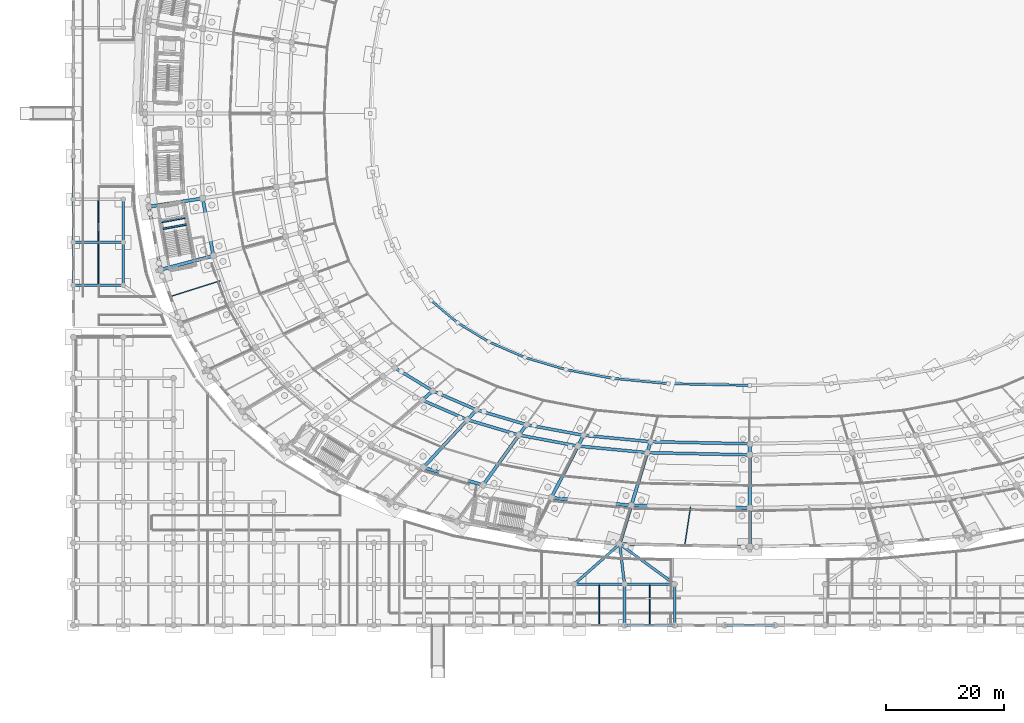
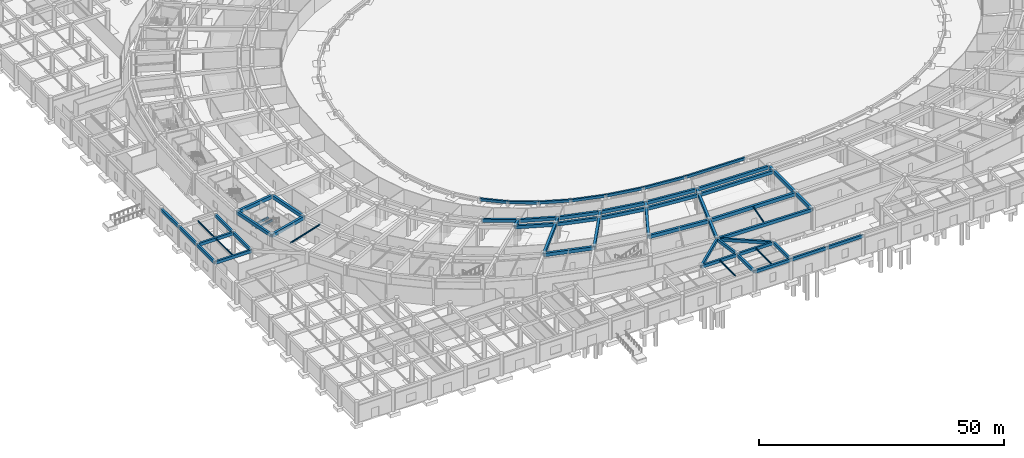
# One storey, part 27 of 88: 64 beams.
"""IFC4 building model written with IfcOpenShell, lengths in metres."""

from ifc_helpers import new_model, si_unit, direction, frame, origin, origin_2d, place, context, subcontext, project, spatial, rectangle, i_section, extrude, material, material_profile, profile_set, type_object, element, save


model = new_model("IFC4")

# Units and contexts
model_context = context("Model", 3, precision=1e-05, world=origin(), true_north=direction((0.0, 1.0)))
body_context = subcontext(model_context, "Body", "Model", "MODEL_VIEW")
ifc_project = project(units=[si_unit("LENGTHUNIT", "METRE"), si_unit("AREAUNIT", "SQUARE_METRE"), si_unit("VOLUMEUNIT", "CUBIC_METRE"), si_unit("PLANEANGLEUNIT", "RADIAN"), si_unit("MASSUNIT", "GRAM", prefix="KILO")], contexts=[model_context])

# Site, building, storey
site_placement = place(None, origin())
site = spatial("IfcSite", under=ifc_project, at=site_placement, CompositionType="ELEMENT")
building_placement = place(site_placement, origin())
building = spatial("IfcBuilding", under=site, at=building_placement, Name="Mphavela Belvedere Stadium", CompositionType="ELEMENT")
storey_placement = place(building_placement, origin())
storey = spatial("IfcBuildingStorey", under=building, at=storey_placement, Name="L00", CompositionType="ELEMENT", Elevation=0.0)

# Beams
ifc_material_1 = material(Name="Steel S355", Category="steel")
ifc_material_profile_1 = material_profile(ifc_material_1, i_section(OverallWidth=0.169921875, OverallDepth=0.360107421875, WebThickness=0.008056640625, FlangeThickness=0.0126953125, at=origin_2d()), Name="IPE 360")
ifc_profile_set_1 = profile_set([ifc_material_profile_1], Name="Steel S355")
beam_type_1 = type_object("IfcBeamType", Name="BM-JOIST-IPE360", PredefinedType="JOIST", material=ifc_profile_set_1)
beam_1_placement = place(storey_placement, frame((25.318359375, 58.6669921875, 4.969970703125), z_axis=(-0.953544002003, -0.301253773826, 0.0), x_axis=(0.301253773826, -0.953544002003, 0.0)))
element("IfcBeam", 1, at=beam_1_placement, inside=storey, type_object=beam_type_1, Name="Concourse floor joist L00-27", PredefinedType="JOIST", context=body_context, shape_type="SweptSolid", body=[
    extrude(i_section(OverallWidth=0.169921875, OverallDepth=0.360107421875, WebThickness=0.008056640625, FlangeThickness=0.0126953125, at=origin_2d()), origin(), (0.0, 0.0, 1.0), 9.259033203125),
])
for number, where, z_axis, x_axis, name in (
    (2, (89.444580078125, 0.22509765625, 4.9599609375), (0.0, 1.0, 0.0), (-1.0, 0.0, 0.0), "South Axial Triumphal Peristyle Portico secondary joist L00 11-1"),
    (3, (97.962890625, 0.22509765625, 4.9599609375), (0.0, 1.0, 0.0), (-1.0, 0.0, 0.0), "South Axial Triumphal Peristyle Portico secondary joist L00 12-1"),
):
    element("IfcBeam", number, at=place(storey_placement, frame(where, z_axis=z_axis, x_axis=x_axis)), inside=storey, type_object=beam_type_1, Name=name, PredefinedType="JOIST", context=body_context, shape_type="SweptSolid", body=[
        extrude(i_section(OverallWidth=0.169921875, OverallDepth=0.360107421875, WebThickness=0.008056640625, FlangeThickness=0.0126953125, at=origin_2d()), origin(), (0.0, 0.0, 1.0), 6.5498046875),
    ])
for number, where, z_axis, x_axis, name in (
    (4, (4.25, 58.02490234375, 4.9599609375), (0.0, 1.0, 0.0), (-1.0, 0.0, 0.0), "West Planted Eaves Peristyle Colonnade secondary joist L00 1-2"),
    (5, (4.25, 65.324951171875, 4.9599609375), (0.0, 1.0, 0.0), (-1.0, 0.0, 0.0), "West Planted Eaves Peristyle Colonnade secondary joist L00 1-3"),
):
    element("IfcBeam", number, at=place(storey_placement, frame(where, z_axis=z_axis, x_axis=x_axis)), inside=storey, type_object=beam_type_1, Name=name, PredefinedType="JOIST", context=body_context, shape_type="SweptSolid", body=[
        extrude(i_section(OverallWidth=0.169921875, OverallDepth=0.360107421875, WebThickness=0.008056640625, FlangeThickness=0.0126953125, at=origin_2d()), origin(), (0.0, 0.0, 1.0), 6.85009765625),
    ])
ifc_material_2 = material(Name="Steel S355", Category="steel")
ifc_material_profile_2 = material_profile(ifc_material_2, i_section(OverallWidth=0.179931640625, OverallDepth=0.39990234375, WebThickness=0.008544921875, FlangeThickness=0.013427734375, at=origin_2d()), Name="IPE 400")
ifc_profile_set_2 = profile_set([ifc_material_profile_2], Name="Steel S355")
beam_type_2 = type_object("IfcBeamType", Name="BM-JOIST-IPE400", PredefinedType="JOIST", material=ifc_profile_set_2)
beam_2_placement = place(storey_placement, frame((104.93359375, 20.1494140625, 4.949951171875), z_axis=(-0.14889470473, -0.988853056274, 0.0), x_axis=(0.988853056274, -0.14889470473, 0.0)))
element("IfcBeam", 6, at=beam_2_placement, inside=storey, type_object=beam_type_2, Name="Concourse floor joist L00-36", PredefinedType="JOIST", context=body_context, shape_type="SweptSolid", body=[
    extrude(i_section(OverallWidth=0.179931640625, OverallDepth=0.39990234375, WebThickness=0.008544921875, FlangeThickness=0.013427734375, at=origin_2d()), origin(), (0.0, 0.0, 1.0), 6.655517578125),
])
ifc_material_3 = material(Name="Concrete C40/50", Category="concrete")
ifc_material_profile_3 = material_profile(ifc_material_3, rectangle(XDim=0.300048828125, YDim=0.449951171875, at=origin_2d()), Name="RC 300x450")
ifc_profile_set_3 = profile_set([ifc_material_profile_3], Name="Concrete C40/50")
beam_type_3 = type_object("IfcBeamType", Name="BM-RC300x450", PredefinedType="BEAM", material=ifc_profile_set_3)
beam_3_placement = place(storey_placement, frame((19.440673828125, 68.16357421875, 2.27490234375), z_axis=(-0.9831891563, -0.182589931088, 0.0), x_axis=(0.182589931088, -0.9831891563, 0.0)))
element("IfcBeam", 7, at=beam_3_placement, inside=storey, type_object=beam_type_3, Name="Core C09 landing trimmer beam L00-1", PredefinedType="BEAM", context=body_context, shape_type="SweptSolid", body=[
    extrude(rectangle(XDim=0.300048828125, YDim=0.449951171875, at=origin_2d()), origin(), (0.0, 0.0, 1.0), 4.469970703125),
])
beam_4_placement = place(storey_placement, frame((19.2216796875, 69.343505859375, 2.27490234375), z_axis=(-0.983190977087, -0.182580126453, 0.0), x_axis=(0.182580126453, -0.983190977087, 0.0)))
element("IfcBeam", 8, at=beam_4_placement, inside=storey, type_object=beam_type_3, Name="Core C09 landing trimmer beam L00-2", PredefinedType="BEAM", context=body_context, shape_type="SweptSolid", body=[
    extrude(rectangle(XDim=0.300048828125, YDim=0.449951171875, at=origin_2d()), origin(), (0.0, 0.0, 1.0), 4.47021484375),
])
ifc_material_4 = material(Name="Concrete C40/50", Category="concrete")
ifc_material_profile_4 = material_profile(ifc_material_4, rectangle(XDim=0.39990234375, YDim=0.64990234375, at=origin_2d()), Name="RC 400x650")
ifc_profile_set_4 = profile_set([ifc_material_profile_4], Name="Concrete C40/50")
beam_type_4 = type_object("IfcBeamType", Name="BM-RC400x650", PredefinedType="BEAM", material=ifc_profile_set_4)
beam_5_placement = place(storey_placement, frame((60.8349609375, 55.22216796875, 0.824951171875), z_axis=(0.764252578724, -0.644917045762, 0.0), x_axis=(0.644917045762, 0.764252578724, 0.0)))
element("IfcBeam", 9, at=beam_5_placement, inside=storey, type_object=beam_type_4, Name="Lower tier plinth ring beam 30", PredefinedType="BEAM", context=body_context, shape_type="SweptSolid", body=[
    extrude(rectangle(XDim=0.39990234375, YDim=0.64990234375, at=origin_2d()), origin(), (0.0, 0.0, 1.0), 5.89599609375),
])
beam_6_placement = place(storey_placement, frame((65.341064453125, 51.419677734375, 0.824951171875), z_axis=(0.854317681937, -0.519751188868, 0.0), x_axis=(0.519751188868, 0.854317681937, 0.0)))
element("IfcBeam", 10, at=beam_6_placement, inside=storey, type_object=beam_type_4, Name="Lower tier plinth ring beam 31", PredefinedType="BEAM", context=body_context, shape_type="SweptSolid", body=[
    extrude(rectangle(XDim=0.39990234375, YDim=0.64990234375, at=origin_2d()), origin(), (0.0, 0.0, 1.0), 6.212158203125),
])
beam_7_placement = place(storey_placement, frame((70.648193359375, 48.19091796875, 0.824951171875), z_axis=(0.917505783131, -0.397722438293, 0.0), x_axis=(0.397722438293, 0.917505783131, 0.0)))
element("IfcBeam", 11, at=beam_7_placement, inside=storey, type_object=beam_type_4, Name="Lower tier plinth ring beam 32", PredefinedType="BEAM", context=body_context, shape_type="SweptSolid", body=[
    extrude(rectangle(XDim=0.39990234375, YDim=0.64990234375, at=origin_2d()), origin(), (0.0, 0.0, 1.0), 6.672607421875),
])
beam_8_placement = place(storey_placement, frame((76.770263671875, 45.537109375, 0.824951171875), z_axis=(0.958662145349, -0.284546817018, 0.0), x_axis=(0.284546817018, 0.958662145349, 0.0)))
element("IfcBeam", 12, at=beam_8_placement, inside=storey, type_object=beam_type_4, Name="Lower tier plinth ring beam 33", PredefinedType="BEAM", context=body_context, shape_type="SweptSolid", body=[
    extrude(rectangle(XDim=0.39990234375, YDim=0.64990234375, at=origin_2d()), origin(), (0.0, 0.0, 1.0), 7.287841796875),
])
beam_9_placement = place(storey_placement, frame((83.7568359375, 43.46337890625, 0.824951171875), z_axis=(0.983092319169, -0.183110600433, 0.0), x_axis=(0.183110600433, 0.983092319169, 0.0)))
element("IfcBeam", 13, at=beam_9_placement, inside=storey, type_object=beam_type_4, Name="Lower tier plinth ring beam 34", PredefinedType="BEAM", context=body_context, shape_type="SweptSolid", body=[
    extrude(rectangle(XDim=0.39990234375, YDim=0.64990234375, at=origin_2d()), origin(), (0.0, 0.0, 1.0), 8.12255859375),
])
beam_10_placement = place(storey_placement, frame((91.741943359375, 41.97607421875, 0.824951171875), z_axis=(0.995485107266, -0.094917865605, 0.0), x_axis=(0.094917865605, 0.995485107266, 0.0)))
element("IfcBeam", 14, at=beam_10_placement, inside=storey, type_object=beam_type_4, Name="Lower tier plinth ring beam 35", PredefinedType="BEAM", context=body_context, shape_type="SweptSolid", body=[
    extrude(rectangle(XDim=0.39990234375, YDim=0.64990234375, at=origin_2d()), origin(), (0.0, 0.0, 1.0), 9.4267578125),
])
beam_11_placement = place(storey_placement, frame((101.126220703125, 41.081298828125, 0.824951171875), z_axis=(0.99976811519, -0.021534062558, 0.0), x_axis=(0.021534062558, 0.99976811519, 0.0)))
element("IfcBeam", 15, at=beam_11_placement, inside=storey, type_object=beam_type_4, Name="Lower tier plinth ring beam 36", PredefinedType="BEAM", context=body_context, shape_type="SweptSolid", body=[
    extrude(rectangle(XDim=0.39990234375, YDim=0.64990234375, at=origin_2d()), origin(), (0.0, 0.0, 1.0), 13.876953125),
])
ifc_material_5 = material(Name="Concrete C40/50", Category="concrete")
ifc_material_profile_5 = material_profile(ifc_material_5, rectangle(XDim=0.449951171875, YDim=0.75, at=origin_2d()), Name="RC 450x750")
ifc_profile_set_5 = profile_set([ifc_material_profile_5], Name="Concrete C40/50")
beam_type_5 = type_object("IfcBeamType", Name="BM-RC450x750", PredefinedType="BEAM", material=ifc_profile_set_5)
beam_12_placement = place(storey_placement, frame((85.18505859375, 7.0, 4.764892578125), z_axis=(1.0, 0.0, 0.0), x_axis=(0.0, 1.0, 0.0)))
element("IfcBeam", 16, at=beam_12_placement, inside=storey, type_object=beam_type_5, Name="South Axial Triumphal Peristyle Portico entablature beam X L00 11-2", PredefinedType="BEAM", context=body_context, shape_type="SweptSolid", body=[
    extrude(rectangle(XDim=0.449951171875, YDim=0.75, at=origin_2d()), origin(), (0.0, 0.0, 1.0), 8.51904296875),
])
beam_13_placement = place(storey_placement, frame((93.7041015625, 0.0, 4.764892578125), z_axis=(1.0, 0.0, 0.0), x_axis=(0.0, 1.0, 0.0)))
element("IfcBeam", 17, at=beam_13_placement, inside=storey, type_object=beam_type_5, Name="South Axial Triumphal Peristyle Portico entablature beam X L00 12-1", PredefinedType="BEAM", context=body_context, shape_type="SweptSolid", body=[
    extrude(rectangle(XDim=0.449951171875, YDim=0.75, at=origin_2d()), origin(), (0.0, 0.0, 1.0), 8.517822265625),
])
beam_14_placement = place(storey_placement, frame((93.7041015625, 0.0, 4.764892578125), z_axis=(0.0, 1.0, 0.0), x_axis=(-1.0, 0.0, 0.0)))
element("IfcBeam", 18, at=beam_14_placement, inside=storey, type_object=beam_type_5, Name="South Axial Triumphal Peristyle Portico entablature beam Y L00 12-1", PredefinedType="BEAM", context=body_context, shape_type="SweptSolid", body=[
    extrude(rectangle(XDim=0.449951171875, YDim=0.75, at=origin_2d()), origin(), (0.0, 0.0, 1.0), 7.0),
])
beam_15_placement = place(storey_placement, frame((93.7041015625, 7.0, 4.764892578125), z_axis=(1.0, 0.0, 0.0), x_axis=(0.0, 1.0, 0.0)))
element("IfcBeam", 19, at=beam_15_placement, inside=storey, type_object=beam_type_5, Name="South Axial Triumphal Peristyle Portico entablature beam X L00 12-2", PredefinedType="BEAM", context=body_context, shape_type="SweptSolid", body=[
    extrude(rectangle(XDim=0.449951171875, YDim=0.75, at=origin_2d()), origin(), (0.0, 0.0, 1.0), 8.517822265625),
])
beam_16_placement = place(storey_placement, frame((102.221923828125, 0.0, 4.764892578125), z_axis=(1.0, 0.0, 0.0), x_axis=(0.0, 1.0, 0.0)))
element("IfcBeam", 20, at=beam_16_placement, inside=storey, type_object=beam_type_5, Name="South Axial Triumphal Peristyle Portico entablature beam X L00 13-1", PredefinedType="BEAM", context=body_context, shape_type="SweptSolid", body=[
    extrude(rectangle(XDim=0.449951171875, YDim=0.75, at=origin_2d()), origin(), (0.0, 0.0, 1.0), 8.51904296875),
])
beam_17_placement = place(storey_placement, frame((102.221923828125, 0.0, 4.764892578125), z_axis=(0.0, 1.0, 0.0), x_axis=(-1.0, 0.0, 0.0)))
element("IfcBeam", 21, at=beam_17_placement, inside=storey, type_object=beam_type_5, Name="South Axial Triumphal Peristyle Portico entablature beam Y L00 13-1", PredefinedType="BEAM", context=body_context, shape_type="SweptSolid", body=[
    extrude(rectangle(XDim=0.449951171875, YDim=0.75, at=origin_2d()), origin(), (0.0, 0.0, 1.0), 7.0),
])
beam_18_placement = place(storey_placement, frame((110.740966796875, 0.0, 4.764892578125), z_axis=(1.0, 0.0, 0.0), x_axis=(0.0, 1.0, 0.0)))
element("IfcBeam", 22, at=beam_18_placement, inside=storey, type_object=beam_type_5, Name="South Axial Triumphal Peristyle Portico entablature beam X L00 14-1", PredefinedType="BEAM", context=body_context, shape_type="SweptSolid", body=[
    extrude(rectangle(XDim=0.449951171875, YDim=0.75, at=origin_2d()), origin(), (0.0, 0.0, 1.0), 8.51806640625),
])
beam_19_placement = place(storey_placement, frame((102.221923828125, 7.0, 4.764892578125), z_axis=(-0.808075844415, 0.589078457994, 0.0), x_axis=(-0.589078457994, -0.808075844415, 0.0)))
element("IfcBeam", 23, at=beam_19_placement, inside=storey, type_object=beam_type_5, Name="South Axial Triumphal Peristyle Portico bowl link girder L00-1", PredefinedType="BEAM", context=body_context, shape_type="SweptSolid", body=[
    extrude(rectangle(XDim=0.449951171875, YDim=0.75, at=origin_2d()), origin(), (0.0, 0.0, 1.0), 11.553955078125),
])
beam_20_placement = place(storey_placement, frame((93.7041015625, 7.0, 4.764892578125), z_axis=(-0.119413444072, 0.99284461492, 0.0), x_axis=(-0.99284461492, -0.119413444072, 0.0)))
element("IfcBeam", 24, at=beam_20_placement, inside=storey, type_object=beam_type_5, Name="South Axial Triumphal Peristyle Portico bowl link girder L00-3", PredefinedType="BEAM", context=body_context, shape_type="SweptSolid", body=[
    extrude(rectangle(XDim=0.449951171875, YDim=0.75, at=origin_2d()), origin(), (0.0, 0.0, 1.0), 6.855224609375),
])
beam_21_placement = place(storey_placement, frame((85.18505859375, 7.0, 4.764892578125), z_axis=(0.749275353375, 0.662258593621, 0.0), x_axis=(-0.662258593621, 0.749275353375, 0.0)))
element("IfcBeam", 25, at=beam_21_placement, inside=storey, type_object=beam_type_5, Name="South Axial Triumphal Peristyle Portico bowl link girder L00-5", PredefinedType="BEAM", context=body_context, shape_type="SweptSolid", body=[
    extrude(rectangle(XDim=0.449951171875, YDim=0.75, at=origin_2d()), origin(), (0.0, 0.0, 1.0), 10.277099609375),
])
beam_22_placement = place(storey_placement, frame((0.0, 57.800048828125, 4.764892578125), z_axis=(1.0, 0.0, 0.0), x_axis=(0.0, 1.0, 0.0)))
element("IfcBeam", 26, at=beam_22_placement, inside=storey, type_object=beam_type_5, Name="West Planted Eaves Peristyle Colonnade entablature beam X L00 1-2", PredefinedType="BEAM", context=body_context, shape_type="SweptSolid", body=[
    extrude(rectangle(XDim=0.449951171875, YDim=0.75, at=origin_2d()), origin(), (0.0, 0.0, 1.0), 8.5),
])
beam_23_placement = place(storey_placement, frame((0.0, 57.800048828125, 4.764892578125), z_axis=(0.0, 1.0, 0.0), x_axis=(-1.0, 0.0, 0.0)))
element("IfcBeam", 27, at=beam_23_placement, inside=storey, type_object=beam_type_5, Name="West Planted Eaves Peristyle Colonnade entablature beam Y L00 1-2", PredefinedType="BEAM", context=body_context, shape_type="SweptSolid", body=[
    extrude(rectangle(XDim=0.449951171875, YDim=0.75, at=origin_2d()), origin(), (0.0, 0.0, 1.0), 7.300048828125),
])
beam_24_placement = place(storey_placement, frame((0.0, 65.10009765625, 4.764892578125), z_axis=(1.0, 0.0, 0.0), x_axis=(0.0, 1.0, 0.0)))
element("IfcBeam", 28, at=beam_24_placement, inside=storey, type_object=beam_type_5, Name="West Planted Eaves Peristyle Colonnade entablature beam X L00 1-3", PredefinedType="BEAM", context=body_context, shape_type="SweptSolid", body=[
    extrude(rectangle(XDim=0.449951171875, YDim=0.75, at=origin_2d()), origin(), (0.0, 0.0, 1.0), 8.5),
])
beam_25_placement = place(storey_placement, frame((0.0, 65.10009765625, 4.764892578125), z_axis=(0.0, 1.0, 0.0), x_axis=(-1.0, 0.0, 0.0)))
element("IfcBeam", 29, at=beam_25_placement, inside=storey, type_object=beam_type_5, Name="West Planted Eaves Peristyle Colonnade entablature beam Y L00 1-3", PredefinedType="BEAM", context=body_context, shape_type="SweptSolid", body=[
    extrude(rectangle(XDim=0.449951171875, YDim=0.75, at=origin_2d()), origin(), (0.0, 0.0, 1.0), 7.2998046875),
])
for number, where, z_axis, x_axis, name in (
    (30, (0.0, 72.39990234375, 4.764892578125), (0.0, 1.0, 0.0), (-1.0, 0.0, 0.0), "West Planted Eaves Peristyle Colonnade entablature beam Y L00 1-4"),
    (31, (8.5, 57.800048828125, 4.764892578125), (0.0, 1.0, 0.0), (-1.0, 0.0, 0.0), "West Planted Eaves Peristyle Colonnade entablature beam Y L00 2-2"),
):
    element("IfcBeam", number, at=place(storey_placement, frame(where, z_axis=z_axis, x_axis=x_axis)), inside=storey, type_object=beam_type_5, Name=name, PredefinedType="BEAM", context=body_context, shape_type="SweptSolid", body=[
        extrude(rectangle(XDim=0.449951171875, YDim=0.75, at=origin_2d()), origin(), (0.0, 0.0, 1.0), 7.300048828125),
    ])
beam_26_placement = place(storey_placement, frame((8.5, 65.10009765625, 4.764892578125), z_axis=(0.0, 1.0, 0.0), x_axis=(-1.0, 0.0, 0.0)))
element("IfcBeam", 32, at=beam_26_placement, inside=storey, type_object=beam_type_5, Name="West Planted Eaves Peristyle Colonnade entablature beam Y L00 2-3", PredefinedType="BEAM", context=body_context, shape_type="SweptSolid", body=[
    extrude(rectangle(XDim=0.449951171875, YDim=0.75, at=origin_2d()), origin(), (0.0, 0.0, 1.0), 7.2998046875),
])
ifc_material_6 = material(Name="Concrete C40/50", Category="concrete")
ifc_material_profile_6 = material_profile(ifc_material_6, rectangle(XDim=0.5, YDim=0.800048828125, at=origin_2d()), Name="RC 500x800")
ifc_profile_set_6 = profile_set([ifc_material_profile_6], Name="Concrete C40/50")
beam_type_6 = type_object("IfcBeamType", Name="BM-RC500x800", PredefinedType="BEAM", material=ifc_profile_set_6)
beam_27_placement = place(storey_placement, frame((54.66259765625, 43.7685546875, 4.75), z_axis=(0.854325951403, -0.51973759606, 0.0), x_axis=(0.51973759606, 0.854325951403, 0.0)))
element("IfcBeam", 33, at=beam_27_placement, inside=storey, type_object=beam_type_6, Name="Circumferential girder L00 R1-31", PredefinedType="BEAM", context=body_context, shape_type="SweptSolid", body=[
    extrude(rectangle(XDim=0.5, YDim=0.800048828125, at=origin_2d()), origin(), (0.0, 0.0, 1.0), 7.5478515625),
])
beam_28_placement = place(storey_placement, frame((61.11083984375, 39.845703125, 4.75), z_axis=(0.917503251148, -0.397728279273, 0.0), x_axis=(0.397728279273, 0.917503251148, 0.0)))
element("IfcBeam", 34, at=beam_28_placement, inside=storey, type_object=beam_type_6, Name="Circumferential girder L00 R1-32", PredefinedType="BEAM", context=body_context, shape_type="SweptSolid", body=[
    extrude(rectangle(XDim=0.5, YDim=0.800048828125, at=origin_2d()), origin(), (0.0, 0.0, 1.0), 8.107666015625),
])
beam_29_placement = place(storey_placement, frame((59.31005859375, 38.27001953125, 4.75), z_axis=(0.917495728928, -0.397745631526, 0.0), x_axis=(0.397745631526, 0.917495728928, 0.0)))
element("IfcBeam", 35, at=beam_29_placement, inside=storey, type_object=beam_type_6, Name="Circumferential girder L00 R2-32", PredefinedType="BEAM", context=body_context, shape_type="SweptSolid", body=[
    extrude(rectangle(XDim=0.5, YDim=0.800048828125, at=origin_2d()), origin(), (0.0, 0.0, 1.0), 8.37841796875),
])
beam_30_placement = place(storey_placement, frame((68.549560546875, 36.62109375, 4.75), z_axis=(0.958656973737, -0.284564240033, 0.0), x_axis=(0.284564240033, 0.958656973737, 0.0)))
element("IfcBeam", 36, at=beam_30_placement, inside=storey, type_object=beam_type_6, Name="Circumferential girder L00 R1-33", PredefinedType="BEAM", context=body_context, shape_type="SweptSolid", body=[
    extrude(rectangle(XDim=0.5, YDim=0.800048828125, at=origin_2d()), origin(), (0.0, 0.0, 1.0), 8.854736328125),
])
beam_31_placement = place(storey_placement, frame((66.997314453125, 34.9375, 4.75), z_axis=(0.958656419443, -0.284566107363, 0.0), x_axis=(0.284566107363, 0.958656419443, 0.0)))
element("IfcBeam", 37, at=beam_31_placement, inside=storey, type_object=beam_type_6, Name="Circumferential girder L00 R2-33", PredefinedType="BEAM", context=body_context, shape_type="SweptSolid", body=[
    extrude(rectangle(XDim=0.5, YDim=0.800048828125, at=origin_2d()), origin(), (0.0, 0.0, 1.0), 9.15087890625),
])
beam_32_placement = place(storey_placement, frame((77.038330078125, 34.101318359375, 4.75), z_axis=(0.983092994202, -0.183106976248, 0.0), x_axis=(0.183106976248, 0.983092994202, 0.0)))
element("IfcBeam", 38, at=beam_32_placement, inside=storey, type_object=beam_type_6, Name="Circumferential girder L00 R1-34", PredefinedType="BEAM", context=body_context, shape_type="SweptSolid", body=[
    extrude(rectangle(XDim=0.5, YDim=0.800048828125, at=origin_2d()), origin(), (0.0, 0.0, 1.0), 9.869140625),
])
beam_33_placement = place(storey_placement, frame((75.769775390625, 32.33349609375, 4.75), z_axis=(0.983098802226, -0.183075790485, 0.0), x_axis=(0.183075790485, 0.983098802226, 0.0)))
element("IfcBeam", 39, at=beam_33_placement, inside=storey, type_object=beam_type_6, Name="Circumferential girder L00 R2-34", PredefinedType="BEAM", context=body_context, shape_type="SweptSolid", body=[
    extrude(rectangle(XDim=0.5, YDim=0.800048828125, at=origin_2d()), origin(), (0.0, 0.0, 1.0), 10.198974609375),
])
beam_34_placement = place(storey_placement, frame((86.74072265625, 32.294189453125, 4.75), z_axis=(0.995485216305, -0.094916722014, 0.0), x_axis=(0.094916722014, 0.995485216305, 0.0)))
element("IfcBeam", 40, at=beam_34_placement, inside=storey, type_object=beam_type_6, Name="Circumferential girder L00 R1-35", PredefinedType="BEAM", context=body_context, shape_type="SweptSolid", body=[
    extrude(rectangle(XDim=0.5, YDim=0.800048828125, at=origin_2d()), origin(), (0.0, 0.0, 1.0), 11.453857421875),
])
beam_35_placement = place(storey_placement, frame((85.79638671875, 30.46630859375, 4.75), z_axis=(0.9954829494, -0.094940494283, 0.0), x_axis=(0.094940494283, 0.9954829494, 0.0)))
element("IfcBeam", 41, at=beam_35_placement, inside=storey, type_object=beam_type_6, Name="Circumferential girder L00 R2-35", PredefinedType="BEAM", context=body_context, shape_type="SweptSolid", body=[
    extrude(rectangle(XDim=0.5, YDim=0.800048828125, at=origin_2d()), origin(), (0.0, 0.0, 1.0), 11.836669921875),
])
beam_36_placement = place(storey_placement, frame((98.142822265625, 31.20703125, 4.75), z_axis=(0.9997681798, -0.021531062658, 0.0), x_axis=(0.021531062658, 0.9997681798, 0.0)))
element("IfcBeam", 42, at=beam_36_placement, inside=storey, type_object=beam_type_6, Name="Circumferential girder L00 R1-36", PredefinedType="BEAM", context=body_context, shape_type="SweptSolid", body=[
    extrude(rectangle(XDim=0.5, YDim=0.800048828125, at=origin_2d()), origin(), (0.0, 0.0, 1.0), 16.861083984375),
])
beam_37_placement = place(storey_placement, frame((97.57958984375, 29.342529296875, 4.75), z_axis=(0.999768385959, -0.021521487805, 0.0), x_axis=(0.021521487805, 0.999768385959, 0.0)))
element("IfcBeam", 43, at=beam_37_placement, inside=storey, type_object=beam_type_6, Name="Circumferential girder L00 R2-36", PredefinedType="BEAM", context=body_context, shape_type="SweptSolid", body=[
    extrude(rectangle(XDim=0.5, YDim=0.800048828125, at=origin_2d()), origin(), (0.0, 0.0, 1.0), 17.424560546875),
])
ifc_material_7 = material(Name="Concrete C40/50", Category="concrete")
ifc_material_profile_7 = material_profile(ifc_material_7, rectangle(XDim=0.550048828125, YDim=0.85009765625, at=origin_2d()), Name="RC 550x850")
ifc_profile_set_7 = profile_set([ifc_material_profile_7], Name="Concrete C40/50")
beam_type_7 = type_object("IfcBeamType", Name="BM-RC550x850", PredefinedType="BEAM", material=ifc_profile_set_7)
beam_38_placement = place(storey_placement, frame((22.0, 72.5751953125, 4.72509765625), z_axis=(0.182638056683, -0.983180217585, 0.0), x_axis=(0.983180217585, 0.182638056683, 0.0)))
element("IfcBeam", 44, at=beam_38_placement, inside=storey, type_object=beam_type_7, Name="Circumferential girder L00 R3-26", PredefinedType="BEAM", context=body_context, shape_type="SweptSolid", body=[
    extrude(rectangle(XDim=0.550048828125, YDim=0.85009765625, at=origin_2d()), origin(), (0.0, 0.0, 1.0), 9.924072265625),
])
beam_39_placement = place(storey_placement, frame((22.0, 72.5751953125, 4.72509765625), z_axis=(-0.988182369303, -0.153282761586, 0.0), x_axis=(0.153282761586, -0.988182369303, 0.0)))
element("IfcBeam", 45, at=beam_39_placement, inside=storey, type_object=beam_type_7, Name="Radial concourse girder L00 R3R4-26", PredefinedType="BEAM", context=body_context, shape_type="SweptSolid", body=[
    extrude(rectangle(XDim=0.550048828125, YDim=0.85009765625, at=origin_2d()), origin(), (0.0, 0.0, 1.0), 9.264892578125),
])
beam_40_placement = place(storey_placement, frame((23.8125, 62.818115234375, 4.72509765625), z_axis=(-0.966589609073, -0.256328944196, 0.0), x_axis=(0.256328944196, -0.966589609073, 0.0)))
element("IfcBeam", 46, at=beam_40_placement, inside=storey, type_object=beam_type_7, Name="Radial concourse girder L00 R3R4-27", PredefinedType="BEAM", context=body_context, shape_type="SweptSolid", body=[
    extrude(rectangle(XDim=0.550048828125, YDim=0.85009765625, at=origin_2d()), origin(), (0.0, 0.0, 1.0), 9.287353515625),
])
beam_41_placement = place(storey_placement, frame((61.11083984375, 39.845703125, 4.72509765625), z_axis=(-0.752576694707, -0.658504607869, 0.0), x_axis=(0.658504607869, -0.752576694707, 0.0)))
element("IfcBeam", 47, at=beam_41_placement, inside=storey, type_object=beam_type_7, Name="Radial concourse girder L00 R1R2-32", PredefinedType="BEAM", context=body_context, shape_type="SweptSolid", body=[
    extrude(rectangle(XDim=0.550048828125, YDim=0.85009765625, at=origin_2d()), origin(), (0.0, 0.0, 1.0), 2.392822265625),
])
beam_42_placement = place(storey_placement, frame((59.523681640625, 26.83203125, 4.72509765625), z_axis=(0.958655230784, -0.284570111731, 0.0), x_axis=(0.284570111731, 0.958655230784, 0.0)))
element("IfcBeam", 48, at=beam_42_placement, inside=storey, type_object=beam_type_7, Name="Circumferential girder L00 R3-33", PredefinedType="BEAM", context=body_context, shape_type="SweptSolid", body=[
    extrude(rectangle(XDim=0.550048828125, YDim=0.85009765625, at=origin_2d()), origin(), (0.0, 0.0, 1.0), 10.57568359375),
])
beam_43_placement = place(storey_placement, frame((68.549560546875, 36.62109375, 4.72509765625), z_axis=(-0.677846038514, -0.735203881975, 0.0), x_axis=(0.735203881975, -0.677846038514, 0.0)))
element("IfcBeam", 49, at=beam_43_placement, inside=storey, type_object=beam_type_7, Name="Radial concourse girder L00 R1R2-33", PredefinedType="BEAM", context=body_context, shape_type="SweptSolid", body=[
    extrude(rectangle(XDim=0.550048828125, YDim=0.85009765625, at=origin_2d()), origin(), (0.0, 0.0, 1.0), 2.2900390625),
])
beam_44_placement = place(storey_placement, frame((66.997314453125, 34.9375, 4.72509765625), z_axis=(-0.677871643116, -0.735180274123, 0.0), x_axis=(0.735180274123, -0.677871643116, 0.0)))
element("IfcBeam", 50, at=beam_44_placement, inside=storey, type_object=beam_type_7, Name="Radial concourse girder L00 R2R3-33", PredefinedType="BEAM", context=body_context, shape_type="SweptSolid", body=[
    extrude(rectangle(XDim=0.550048828125, YDim=0.85009765625, at=origin_2d()), origin(), (0.0, 0.0, 1.0), 11.025146484375),
])
beam_45_placement = place(storey_placement, frame((77.038330078125, 34.101318359375, 4.72509765625), z_axis=(-0.583009326667, -0.812465460816, 0.0), x_axis=(0.812465460816, -0.583009326667, 0.0)))
element("IfcBeam", 51, at=beam_45_placement, inside=storey, type_object=beam_type_7, Name="Radial concourse girder L00 R1R2-34", PredefinedType="BEAM", context=body_context, shape_type="SweptSolid", body=[
    extrude(rectangle(XDim=0.550048828125, YDim=0.85009765625, at=origin_2d()), origin(), (0.0, 0.0, 1.0), 2.17578125),
])
beam_46_placement = place(storey_placement, frame((75.769775390625, 32.33349609375, 4.72509765625), z_axis=(-0.583031296474, -0.812449695262, 0.0), x_axis=(0.812449695262, -0.583031296474, 0.0)))
element("IfcBeam", 52, at=beam_46_placement, inside=storey, type_object=beam_type_7, Name="Radial concourse girder L00 R2R3-34", PredefinedType="BEAM", context=body_context, shape_type="SweptSolid", body=[
    extrude(rectangle(XDim=0.550048828125, YDim=0.85009765625, at=origin_2d()), origin(), (0.0, 0.0, 1.0), 10.475830078125),
])
beam_47_placement = place(storey_placement, frame((81.249755859375, 21.66455078125, 4.72509765625), z_axis=(0.995483834103, -0.094931217412, 0.0), x_axis=(0.094931217412, 0.995483834103, 0.0)))
element("IfcBeam", 53, at=beam_47_placement, inside=storey, type_object=beam_type_7, Name="Circumferential girder L00 R3-35", PredefinedType="BEAM", context=body_context, shape_type="SweptSolid", body=[
    extrude(rectangle(XDim=0.550048828125, YDim=0.85009765625, at=origin_2d()), origin(), (0.0, 0.0, 1.0), 13.67919921875),
])
beam_48_placement = place(storey_placement, frame((86.74072265625, 32.294189453125, 4.72509765625), z_axis=(-0.458993514161, -0.888439617508, 0.0), x_axis=(0.888439617508, -0.458993514161, 0.0)))
element("IfcBeam", 54, at=beam_48_placement, inside=storey, type_object=beam_type_7, Name="Radial concourse girder L00 R1R2-35", PredefinedType="BEAM", context=body_context, shape_type="SweptSolid", body=[
    extrude(rectangle(XDim=0.550048828125, YDim=0.85009765625, at=origin_2d()), origin(), (0.0, 0.0, 1.0), 2.057373046875),
])
beam_49_placement = place(storey_placement, frame((85.79638671875, 30.46630859375, 4.72509765625), z_axis=(-0.458944837734, -0.888464763464, 0.0), x_axis=(0.888464763464, -0.458944837734, 0.0)))
element("IfcBeam", 55, at=beam_49_placement, inside=storey, type_object=beam_type_7, Name="Radial concourse girder L00 R2R3-35", PredefinedType="BEAM", context=body_context, shape_type="SweptSolid", body=[
    extrude(rectangle(XDim=0.550048828125, YDim=0.85009765625, at=origin_2d()), origin(), (0.0, 0.0, 1.0), 9.90673828125),
])
beam_50_placement = place(storey_placement, frame((94.8671875, 20.365966796875, 4.72509765625), z_axis=(0.999768427465, -0.02151955955, 0.0), x_axis=(0.02151955955, 0.999768427465, 0.0)))
element("IfcBeam", 56, at=beam_50_placement, inside=storey, type_object=beam_type_7, Name="Circumferential girder L00 R3-36", PredefinedType="BEAM", context=body_context, shape_type="SweptSolid", body=[
    extrude(rectangle(XDim=0.550048828125, YDim=0.85009765625, at=origin_2d()), origin(), (0.0, 0.0, 1.0), 20.137451171875),
])
beam_51_placement = place(storey_placement, frame((98.142822265625, 31.20703125, 4.72509765625), z_axis=(-0.289175820075, -0.957276002563, 0.0), x_axis=(0.957276002563, -0.289175820075, 0.0)))
element("IfcBeam", 57, at=beam_51_placement, inside=storey, type_object=beam_type_7, Name="Radial concourse girder L00 R1R2-36", PredefinedType="BEAM", context=body_context, shape_type="SweptSolid", body=[
    extrude(rectangle(XDim=0.550048828125, YDim=0.85009765625, at=origin_2d()), origin(), (0.0, 0.0, 1.0), 1.94775390625),
])
beam_52_placement = place(storey_placement, frame((97.57958984375, 29.342529296875, 4.72509765625), z_axis=(-0.289248589313, -0.95725401727, 0.0), x_axis=(0.95725401727, -0.289248589313, 0.0)))
element("IfcBeam", 58, at=beam_52_placement, inside=storey, type_object=beam_type_7, Name="Radial concourse girder L00 R2R3-36", PredefinedType="BEAM", context=body_context, shape_type="SweptSolid", body=[
    extrude(rectangle(XDim=0.550048828125, YDim=0.85009765625, at=origin_2d()), origin(), (0.0, 0.0, 1.0), 9.37744140625),
])
beam_53_placement = place(storey_placement, frame((94.8671875, 20.365966796875, 4.72509765625), z_axis=(-0.28918755919, -0.95727245631, 0.0), x_axis=(0.95727245631, -0.28918755919, 0.0)))
element("IfcBeam", 59, at=beam_53_placement, inside=storey, type_object=beam_type_7, Name="Radial concourse girder L00 R3R4-36", PredefinedType="BEAM", context=body_context, shape_type="SweptSolid", body=[
    extrude(rectangle(XDim=0.550048828125, YDim=0.85009765625, at=origin_2d()), origin(), (0.0, 0.0, 1.0), 6.8525390625),
])
beam_54_placement = place(storey_placement, frame((115.0, 30.843994140625, 4.72509765625), z_axis=(0.0, -1.0, 0.0), x_axis=(1.0, 0.0, 0.0)))
element("IfcBeam", 60, at=beam_54_placement, inside=storey, type_object=beam_type_7, Name="Radial concourse girder L00 R1R2-37", PredefinedType="BEAM", context=body_context, shape_type="SweptSolid", body=[
    extrude(rectangle(XDim=0.550048828125, YDim=0.85009765625, at=origin_2d()), origin(), (0.0, 0.0, 1.0), 1.87646484375),
])
beam_55_placement = place(storey_placement, frame((115.0, 28.967529296875, 4.72509765625), z_axis=(0.0, -1.0, 0.0), x_axis=(1.0, 0.0, 0.0)))
element("IfcBeam", 61, at=beam_55_placement, inside=storey, type_object=beam_type_7, Name="Radial concourse girder L00 R2R3-37", PredefinedType="BEAM", context=body_context, shape_type="SweptSolid", body=[
    extrude(rectangle(XDim=0.550048828125, YDim=0.85009765625, at=origin_2d()), origin(), (0.0, 0.0, 1.0), 9.034912109375),
])
beam_56_placement = place(storey_placement, frame((115.0, 19.9326171875, 4.72509765625), z_axis=(0.0, -1.0, 0.0), x_axis=(1.0, 0.0, 0.0)))
element("IfcBeam", 62, at=beam_56_placement, inside=storey, type_object=beam_type_7, Name="Radial concourse girder L00 R3R4-37", PredefinedType="BEAM", context=body_context, shape_type="SweptSolid", body=[
    extrude(rectangle(XDim=0.550048828125, YDim=0.85009765625, at=origin_2d()), origin(), (0.0, 0.0, 1.0), 6.6025390625),
])
ifc_material_8 = material(Name="Concrete C40/50", Category="concrete")
ifc_material_profile_8 = material_profile(ifc_material_8, rectangle(XDim=0.5, YDim=0.800048828125, at=origin_2d()), Name="RC 500x800")
ifc_profile_set_8 = profile_set([ifc_material_profile_8], Name="Concrete C40/50")
beam_type_8 = type_object("IfcBeamType", Name="BM-SPANDREL-800", PredefinedType="SPANDREL", material=ifc_profile_set_8)
beam_57_placement = place(storey_placement, frame((12.844482421875, 71.155029296875, 4.75), z_axis=(0.18264260648, -0.983179372393, 0.0), x_axis=(0.983179372393, 0.18264260648, 0.0)))
element("IfcBeam", 63, at=beam_57_placement, inside=storey, type_object=beam_type_8, Name="Circumferential girder L00 R4-26", PredefinedType="SPANDREL", context=body_context, shape_type="SweptSolid", body=[
    extrude(rectangle(XDim=0.5, YDim=0.800048828125, at=origin_2d()), origin(), (0.0, 0.0, 1.0), 10.90087890625),
])
beam_58_placement = place(storey_placement, frame((92.885498046875, 13.80615234375, 4.75), z_axis=(0.999768359718, -0.021522706765, 0.0), x_axis=(0.021522706765, 0.999768359718, 0.0)))
element("IfcBeam", 64, at=beam_58_placement, inside=storey, type_object=beam_type_8, Name="Circumferential girder L00 R4-36", PredefinedType="SPANDREL", context=body_context, shape_type="SweptSolid", body=[
    extrude(rectangle(XDim=0.5, YDim=0.800048828125, at=origin_2d()), origin(), (0.0, 0.0, 1.0), 22.11962890625),
])

save(model, "model.ifc")
